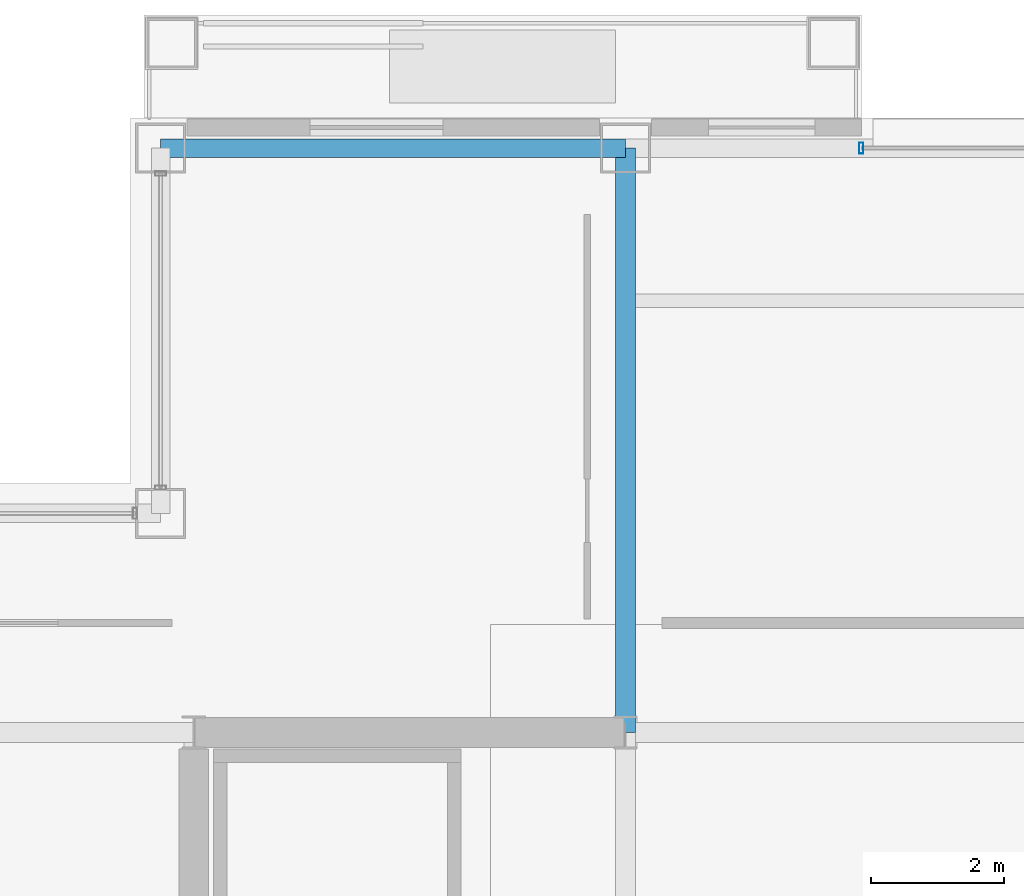
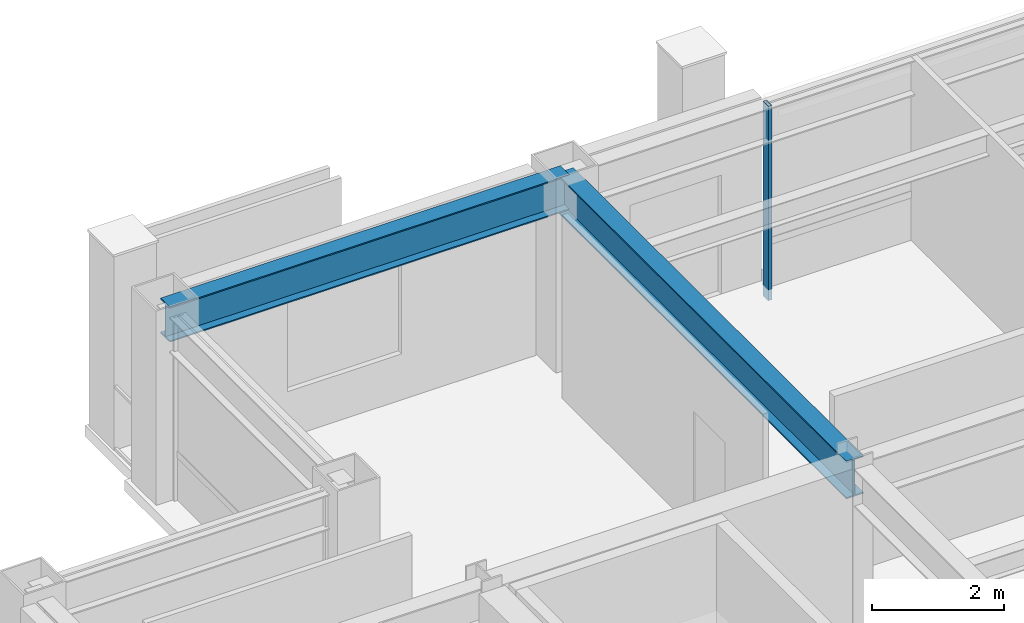
# One storey, part 19 of 28: 2 beams, 1 member, 1 element without a shape of its own.
"""IFC4 building model written with IfcOpenShell, lengths in metres."""

from ifc_helpers import new_model, si_unit, direction, frame, origin, origin_2d, place, context, subcontext, project, spatial, hollow_rectangle, i_section, extrude, material, layer, layer_set, material_profile, profile_set, type_object, element, aggregate, save


model = new_model("IFC4")

# Units and contexts
model_context = context("Model", 3, precision=1e-05, world=origin(), true_north=direction((0.0, 1.0)))
body_context = subcontext(model_context, "Body", "Model", "MODEL_VIEW")
ifc_project = project(units=[si_unit("LENGTHUNIT", "METRE"), si_unit("AREAUNIT", "SQUARE_METRE"), si_unit("VOLUMEUNIT", "CUBIC_METRE"), si_unit("PLANEANGLEUNIT", "RADIAN"), si_unit("MASSUNIT", "GRAM", prefix="KILO")], contexts=[model_context])

# Site, building, storey
site_placement = place(None, origin())
site = spatial("IfcSite", under=ifc_project, at=site_placement, CompositionType="ELEMENT")
building_placement = place(site_placement, origin())
building = spatial("IfcBuilding", under=site, at=building_placement, Name="Brelmoor Portico Tower", CompositionType="ELEMENT")
storey_placement = place(building_placement, frame((0.0, 0.0, 165.89990234375)))
storey = spatial("IfcBuildingStorey", under=building, at=storey_placement, Name="L43", CompositionType="ELEMENT", Elevation=165.89990234375)

# Beams
ifc_material_1 = material(Name="Steel Q355B", Category="steel")
ifc_material_profile_1 = material_profile(ifc_material_1, i_section(OverallWidth=0.300048828125, OverallDepth=0.699951171875, WebThickness=0.012939453125, FlangeThickness=0.02392578125, at=origin_2d()), Name="HN 700x300x13x24")
ifc_profile_set_1 = profile_set([ifc_material_profile_1], Name="Steel Q355B")
beam_type_1 = type_object("IfcBeamType", Name="BM-PG-700", PredefinedType="BEAM", material=ifc_profile_set_1)
beam_1_placement = place(storey_placement, frame((-8.050048828125, 9.75, 3.050048828125), z_axis=(0.0, 1.0, 0.0), x_axis=(-1.0, 0.0, 0.0)))
element("IfcBeam", 1, at=beam_1_placement, inside=storey, type_object=beam_type_1, Name="L43 Primary Floor Girder PG-05", PredefinedType="BEAM", context=body_context, shape_type="SweptSolid", body=[
    extrude(i_section(OverallWidth=0.300048828125, OverallDepth=0.699951171875, WebThickness=0.012939453125, FlangeThickness=0.02392578125, at=origin_2d()), origin(), (0.0, 0.0, 1.0), 8.800048828125),
])
ifc_material_profile_2 = material_profile(ifc_material_1, i_section(OverallWidth=0.280029296875, OverallDepth=0.64990234375, WebThickness=0.012939453125, FlangeThickness=0.02197265625, at=origin_2d()), Name="HN 650x280x13x22")
ifc_profile_set_2 = profile_set([ifc_material_profile_2], Name="Steel Q355B")
beam_type_2 = type_object("IfcBeamType", Name="BM-SP-650", PredefinedType="SPANDREL", material=ifc_profile_set_2)
beam_2_placement = place(storey_placement, frame((-15.050048828125, 18.550048828125, 3.0751953125), z_axis=(1.0, 0.0, 0.0), x_axis=(0.0, 1.0, 0.0)))
element("IfcBeam", 2, at=beam_2_placement, inside=storey, type_object=beam_type_2, Name="L43 Perimeter Spandrel Beam SP-08", PredefinedType="SPANDREL", context=body_context, shape_type="SweptSolid", body=[
    extrude(i_section(OverallWidth=0.280029296875, OverallDepth=0.64990234375, WebThickness=0.012939453125, FlangeThickness=0.02197265625, at=origin_2d()), origin(), (0.0, 0.0, 1.0), 7.0),
])

# Curtain wall, member
ifc_material_2 = material(Name="Anodised Aluminium Alloy 6063-T6", Category="aluminium")
ifc_layer = layer(ifc_material_2, 0.179931640625)
ifc_layer_set = layer_set([ifc_layer], Name="Anodised Aluminium Alloy 6063-T6")
curtain_wall_type = type_object("IfcCurtainWallType", Name="CW-TOWER-Z3", PredefinedType="NOTDEFINED", material=ifc_layer_set)
curtain_wall_placement = place(storey_placement, origin())
curtain_wall = element("IfcCurtainWall", 3, at=curtain_wall_placement, inside=storey, type_object=curtain_wall_type, Name="L43 Curtain Wall CW-L43-2R-1", PredefinedType="NOTDEFINED")
ifc_material_profile_3 = material_profile(ifc_material_2, hollow_rectangle(XDim=0.06494140625, YDim=0.1650390625, WallThickness=0.00390625, at=origin_2d()), Name="ALU MULLION 65x165")
ifc_profile_set_3 = profile_set([ifc_material_profile_3], Name="Anodised Aluminium Alloy 6063-T6")
member_type = type_object("IfcMemberType", Name="MB-CW-MULL-165", PredefinedType="MULLION", material=ifc_profile_set_3)
member_placement = place(storey_placement, frame((-4.5, 18.550048828125, -0.199951171875), z_axis=(0.0, 0.0, 1.0), x_axis=(1.0, 0.0, 0.0)))
member = element("IfcMember", 4, at=member_placement, type_object=member_type, Name="CW-L43-2R-1 Mullion 00", PredefinedType="MULLION", context=body_context, shape_type="SweptSolid", body=[
    extrude(hollow_rectangle(XDim=0.06494140625, YDim=0.1650390625, WallThickness=0.00390625, at=origin_2d()), origin(), (0.0, 0.0, 1.0), 3.60009765625),
])
aggregate(curtain_wall, [member])

save(model, "model.ifc")
